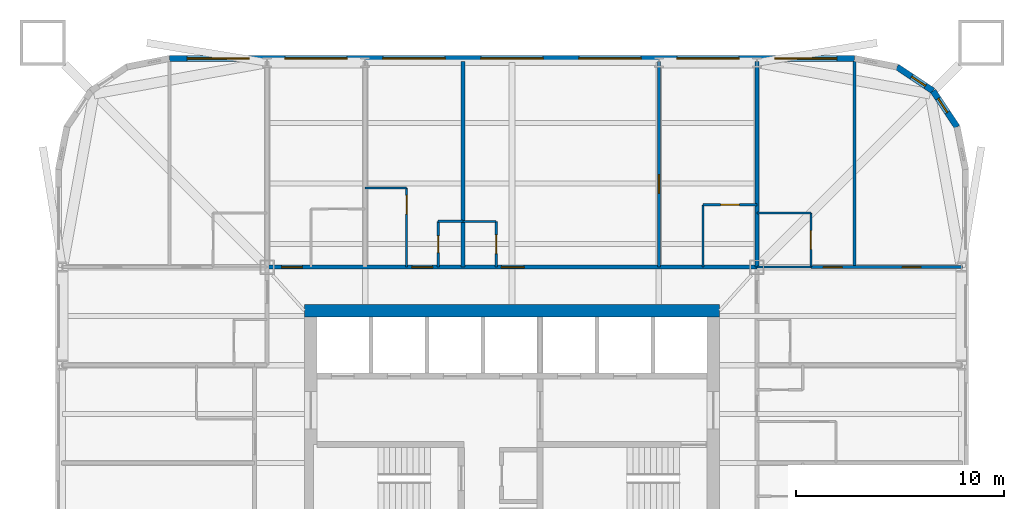
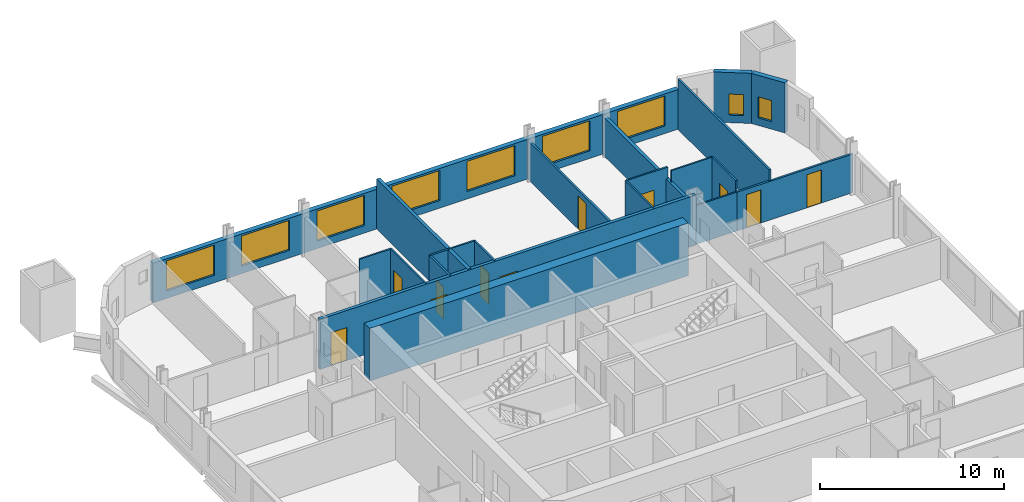
# One storey, part 7 of 9: 21 walls, 11 doors, 9 windows, 20 openings.
"""IFC4 building model written with IfcOpenShell, lengths in metres."""

from ifc_helpers import new_model, si_unit, direction, frame, frame_2d, origin, place, context, subcontext, project, spatial, rectangle, extrude, material, layer, layer_set, type_object, element, fill, save


model = new_model("IFC4")

# Units and contexts
model_context = context("Model", 3, precision=1e-05, world=origin(), true_north=direction((0.0, 1.0)))
body_context = subcontext(model_context, "Body", "Model", "MODEL_VIEW")
ifc_project = project(units=[si_unit("LENGTHUNIT", "METRE"), si_unit("AREAUNIT", "SQUARE_METRE"), si_unit("VOLUMEUNIT", "CUBIC_METRE"), si_unit("PLANEANGLEUNIT", "RADIAN"), si_unit("MASSUNIT", "GRAM", prefix="KILO")], contexts=[model_context])

# Site, building, storey
site_placement = place(None, origin())
site = spatial("IfcSite", under=ifc_project, at=site_placement, CompositionType="ELEMENT")
building_placement = place(site_placement, origin())
building = spatial("IfcBuilding", under=site, at=building_placement, Name="Turquesa Mirador Hotel Tower", CompositionType="ELEMENT")
storey_placement = place(building_placement, frame((0.0, 0.0, 81.0)))
storey = spatial("IfcBuildingStorey", under=building, at=storey_placement, Name="L21", CompositionType="ELEMENT", Elevation=81.0)

# Walls
ifc_material_1 = material(Name="Gypsum board on steel studs", Category="steel")
ifc_layer_1 = layer(ifc_material_1, 0.10009765625)
ifc_layer_set_1 = layer_set([ifc_layer_1], Name="BATHROOM WALL 100")
wall_type_1 = type_object("IfcWallType", Name="BATHROOM WALL 100", PredefinedType="PARTITIONING", material=ifc_layer_set_1)
wall_1_placement = place(storey_placement, frame((66.800048828125, 56.800048828125, 0.0), z_axis=(0.0, 0.0, 1.0), x_axis=(1.0, 0.0, 0.0)))
element("IfcWall", 1, at=wall_1_placement, inside=storey, type_object=wall_type_1, Name="Partition L21 019", PredefinedType="PARTITIONING", context=body_context, shape_type="SweptSolid", body=[
    extrude(rectangle(XDim=2.599853515625, YDim=0.10009765625, at=frame_2d((1.2998046875, 0.0))), origin(), (0.0, 0.0, 1.0), 2.572998046875),
])
wall_2_placement = place(storey_placement, frame((52.639892578125, 59.0, 0.0), z_axis=(0.0, 0.0, 1.0), x_axis=(1.0, 0.0, 0.0)))
element("IfcWall", 2, at=wall_2_placement, inside=storey, type_object=wall_type_1, Name="Partition L21 023", PredefinedType="PARTITIONING", context=body_context, shape_type="SweptSolid", body=[
    extrude(rectangle(XDim=1.60009765625, YDim=0.10009765625, at=frame_2d((0.800048828125, 0.0))), origin(), (0.0, 0.0, 1.0), 3.330078125),
])
wall_3_placement = place(storey_placement, frame((66.800048828125, 59.39990234375, 0.0), z_axis=(0.0, 0.0, 1.0), x_axis=(1.0, 0.0, 0.0)))
element("IfcWall", 3, at=wall_3_placement, inside=storey, type_object=wall_type_1, Name="Partition L21 026", PredefinedType="PARTITIONING", context=body_context, shape_type="SweptSolid", body=[
    extrude(rectangle(XDim=2.599853515625, YDim=0.10009765625, at=frame_2d((1.2998046875, 0.0))), origin(), (0.0, 0.0, 1.0), 3.330078125),
])

# Wall, opening, door
wall_4_placement = place(storey_placement, frame((64.199951171875, 59.800048828125, 0.0), z_axis=(0.0, 0.0, 1.0), x_axis=(1.0, 0.0, 0.0)))
wall_4 = element("IfcWall", 4, at=wall_4_placement, inside=storey, type_object=wall_type_1, Name="Partition L21 028", PredefinedType="PARTITIONING", context=body_context, shape_type="SweptSolid", body=[
    extrude(rectangle(XDim=2.60009765625, YDim=0.10009765625, at=frame_2d((1.300048828125, 0.0))), origin(), (0.0, 0.0, 1.0), 3.330078125),
])
opening_1_placement = place(wall_4_placement, frame((0.85009765625, 0.0, 0.0)))
opening_1 = element("IfcOpeningElement", 5, at=opening_1_placement, cuts=wall_4, Name="Opening D02", PredefinedType="OPENING", context=body_context, shape_type="SweptSolid", body=[
    extrude(rectangle(XDim=0.89990234375, YDim=2.10009765625, at=frame_2d((0.449951171875, 1.050048828125))), frame((0.0, 0.06005859375, 0.0), z_axis=(0.0, -1.0, 0.0), x_axis=(1.0, 0.0, 0.0)), (0.0, 0.0, 1.0), 0.1201171875),
])
ifc_material_2 = material(Name="Timber veneered door", Category="wood")
door_type_1 = type_object("IfcDoorType", Name="DOOR 900X2100 EN-SUITE", OperationType="SINGLE_SWING_RIGHT", PredefinedType="DOOR", material=ifc_material_2)
door_1_placement = place(opening_1_placement, origin())
door_1 = element("IfcDoor", 6, at=door_1_placement, inside=storey, type_object=door_type_1, Name="Door 2103B", OperationType="SINGLE_SWING_RIGHT", OverallHeight=2.10009765625, OverallWidth=0.89990234375, PredefinedType="DOOR", context=body_context, shape_type="SweptSolid", body=[
    extrude(rectangle(XDim=0.89990234375, YDim=2.10009765625, at=frame_2d((0.449951171875, 1.050048828125))), frame((0.0, 0.02490234375, 0.0), z_axis=(0.0, -1.0, 0.0), x_axis=(1.0, 0.0, 0.0)), (0.0, 0.0, 1.0), 0.050048828125),
])
fill(opening_1, door_1)

# Wall
wall_5_placement = place(storey_placement, frame((47.919921875, 60.60009765625, 0.0), z_axis=(0.0, 0.0, 1.0), x_axis=(1.0, 0.0, 0.0)))
element("IfcWall", 7, at=wall_5_placement, inside=storey, type_object=wall_type_1, Name="Partition L21 029", PredefinedType="PARTITIONING", context=body_context, shape_type="SweptSolid", body=[
    extrude(rectangle(XDim=2.0, YDim=0.10009765625, at=frame_2d((1.0, 0.0))), origin(), (0.0, 0.0, 1.0), 3.330078125),
])

# Wall, opening, door
wall_6_placement = place(storey_placement, frame((54.239990234375, 56.800048828125, 0.0), z_axis=(0.0, 0.0, 1.0), x_axis=(0.0, 1.0, 0.0)))
wall_6 = element("IfcWall", 8, at=wall_6_placement, inside=storey, type_object=wall_type_1, Name="Partition L21 041", PredefinedType="PARTITIONING", context=body_context, shape_type="SweptSolid", body=[
    extrude(rectangle(XDim=2.199951171875, YDim=0.10009765625, at=frame_2d((1.10009765625, 0.0))), origin(), (0.0, 0.0, 1.0), 3.330078125),
])
opening_2_placement = place(wall_6_placement, frame((0.64990234375, 0.0, 0.0)))
opening_2 = element("IfcOpeningElement", 9, at=opening_2_placement, cuts=wall_6, Name="Opening D06", PredefinedType="OPENING", context=body_context, shape_type="SweptSolid", body=[
    extrude(rectangle(XDim=0.89990234375, YDim=2.10009765625, at=frame_2d((0.449951171875, 1.050048828125))), frame((0.0, 0.06005859375, 0.0), z_axis=(0.0, -1.0, 0.0), x_axis=(1.0, 0.0, 0.0)), (0.0, 0.0, 1.0), 0.1201171875),
])
ifc_material_3 = material(Name="Laminate door", Category="wood")
door_type_2 = type_object("IfcDoorType", Name="DOOR 900X2100 WC", OperationType="SINGLE_SWING_LEFT", PredefinedType="DOOR", material=ifc_material_3)
door_2_placement = place(opening_2_placement, origin())
door_2 = element("IfcDoor", 10, at=door_2_placement, inside=storey, type_object=door_type_2, Name="Door 2103W", OperationType="SINGLE_SWING_LEFT", OverallHeight=2.10009765625, OverallWidth=0.89990234375, PredefinedType="DOOR", context=body_context, shape_type="SweptSolid", body=[
    extrude(rectangle(XDim=0.89990234375, YDim=2.10009765625, at=frame_2d((0.449951171875, 1.050048828125))), frame((0.0, 0.02490234375, 0.0), z_axis=(0.0, -1.0, 0.0), x_axis=(1.0, 0.0, 0.0)), (0.0, 0.0, 1.0), 0.050048828125),
])
fill(opening_2, door_2)

wall_7_placement = place(storey_placement, frame((49.919921875, 56.800048828125, 0.0), z_axis=(0.0, 0.0, 1.0), x_axis=(0.0, 1.0, 0.0)))
wall_7 = element("IfcWall", 11, at=wall_7_placement, inside=storey, type_object=wall_type_1, Name="Partition L21 058", PredefinedType="PARTITIONING", context=body_context, shape_type="SweptSolid", body=[
    extrude(rectangle(XDim=3.800048828125, YDim=0.10009765625, at=frame_2d((1.89990234375, 0.0))), origin(), (0.0, 0.0, 1.0), 3.330078125),
])
opening_3_placement = place(wall_7_placement, frame((2.550048828125, 0.0, 0.0)))
opening_3 = element("IfcOpeningElement", 12, at=opening_3_placement, cuts=wall_7, Name="Opening D02", PredefinedType="OPENING", context=body_context, shape_type="SweptSolid", body=[
    extrude(rectangle(XDim=0.89990234375, YDim=2.10009765625, at=frame_2d((0.449951171875, 1.050048828125))), frame((0.0, 0.06005859375, 0.0), z_axis=(0.0, -1.0, 0.0), x_axis=(1.0, 0.0, 0.0)), (0.0, 0.0, 1.0), 0.1201171875),
])
door_3_placement = place(opening_3_placement, origin())
door_3 = element("IfcDoor", 13, at=door_3_placement, inside=storey, type_object=door_type_1, Name="Door 2102B", OperationType="SINGLE_SWING_RIGHT", OverallHeight=2.10009765625, OverallWidth=0.89990234375, PredefinedType="DOOR", context=body_context, shape_type="SweptSolid", body=[
    extrude(rectangle(XDim=0.89990234375, YDim=2.10009765625, at=frame_2d((0.449951171875, 1.050048828125))), frame((0.0, 0.02490234375, 0.0), z_axis=(0.0, -1.0, 0.0), x_axis=(1.0, 0.0, 0.0)), (0.0, 0.0, 1.0), 0.050048828125),
])
fill(opening_3, door_3)

wall_8_placement = place(storey_placement, frame((69.39990234375, 56.800048828125, 0.0), z_axis=(0.0, 0.0, 1.0), x_axis=(0.0, 1.0, 0.0)))
wall_8 = element("IfcWall", 14, at=wall_8_placement, inside=storey, type_object=wall_type_1, Name="Partition L21 069", PredefinedType="PARTITIONING", context=body_context, shape_type="SweptSolid", body=[
    extrude(rectangle(XDim=2.599853515625, YDim=0.10009765625, at=frame_2d((1.2998046875, 0.0))), origin(), (0.0, 0.0, 1.0), 3.330078125),
])
opening_4_placement = place(wall_8_placement, frame((0.85009765625, 0.0, 0.0)))
opening_4 = element("IfcOpeningElement", 15, at=opening_4_placement, cuts=wall_8, Name="Opening D02", PredefinedType="OPENING", context=body_context, shape_type="SweptSolid", body=[
    extrude(rectangle(XDim=0.89990234375, YDim=2.10009765625, at=frame_2d((0.449951171875, 1.050048828125))), frame((0.0, 0.06005859375, 0.0), z_axis=(0.0, -1.0, 0.0), x_axis=(1.0, 0.0, 0.0)), (0.0, 0.0, 1.0), 0.1201171875),
])
door_4_placement = place(opening_4_placement, origin())
door_4 = element("IfcDoor", 16, at=door_4_placement, inside=storey, type_object=door_type_1, Name="Door 2109B", OperationType="SINGLE_SWING_RIGHT", OverallHeight=2.10009765625, OverallWidth=0.89990234375, PredefinedType="DOOR", context=body_context, shape_type="SweptSolid", body=[
    extrude(rectangle(XDim=0.89990234375, YDim=2.10009765625, at=frame_2d((0.449951171875, 1.050048828125))), frame((0.0, 0.02490234375, 0.0), z_axis=(0.0, -1.0, 0.0), x_axis=(1.0, 0.0, 0.0)), (0.0, 0.0, 1.0), 0.050048828125),
])
fill(opening_4, door_4)

# Walls
wall_9_placement = place(storey_placement, frame((64.199951171875, 56.800048828125, 0.0), z_axis=(0.0, 0.0, 1.0), x_axis=(0.0, 1.0, 0.0)))
element("IfcWall", 17, at=wall_9_placement, inside=storey, type_object=wall_type_1, Name="Partition L21 077", PredefinedType="PARTITIONING", context=body_context, shape_type="SweptSolid", body=[
    extrude(rectangle(XDim=3.0, YDim=0.10009765625, at=frame_2d((1.5, 0.0))), origin(), (0.0, 0.0, 1.0), 3.330078125),
])
ifc_material_4 = material(Name="Concrete C50/60", Category="concrete")
ifc_layer_2 = layer(ifc_material_4, 0.60009765625)
ifc_layer_set_2 = layer_set([ifc_layer_2], Name="CORE WALL 600")
wall_type_2 = type_object("IfcWallType", Name="CORE WALL 600", PredefinedType="SHEAR", material=ifc_layer_set_2)
wall_10_placement = place(storey_placement, frame((45.0, 54.699951171875, 0.0), z_axis=(0.0, 0.0, 1.0), x_axis=(1.0, 0.0, 0.0)))
element("IfcWall", 18, at=wall_10_placement, inside=storey, type_object=wall_type_2, Name="Core wall N", PredefinedType="SHEAR", context=body_context, shape_type="SweptSolid", body=[
    extrude(rectangle(XDim=20.0, YDim=0.60009765625, at=frame_2d((10.0, 0.0))), origin(), (0.0, 0.0, 1.0), 3.5),
])

# Wall, openings, doors
ifc_material_5 = material(Name="Fire-rated gypsum board on steel studs", Category="steel")
ifc_layer_3 = layer(ifc_material_5, 0.199951171875)
ifc_layer_set_3 = layer_set([ifc_layer_3], Name="CORRIDOR WALL 200")
wall_type_3 = type_object("IfcWallType", Name="CORRIDOR WALL 200", PredefinedType="PARTITIONING", material=ifc_layer_set_3)
wall_11_placement = place(storey_placement, frame((43.199951171875, 56.800048828125, 0.0), z_axis=(0.0, 0.0, 1.0), x_axis=(1.0, 0.0, 0.0)))
wall_11 = element("IfcWall", 19, at=wall_11_placement, inside=storey, type_object=wall_type_3, Name="Partition L21 020", PredefinedType="PARTITIONING", context=body_context, shape_type="SweptSolid", body=[
    extrude(rectangle(XDim=23.60009765625, YDim=0.199951171875, at=frame_2d((11.800048828125, 0.0))), origin(), (0.0, 0.0, 1.0), 3.330078125),
])
opening_5_placement = place(wall_11_placement, frame((0.699951171875, 0.0, 0.0)))
opening_5 = element("IfcOpeningElement", 20, at=opening_5_placement, cuts=wall_11, Name="Opening D01", PredefinedType="OPENING", context=body_context, shape_type="SweptSolid", body=[
    extrude(rectangle(XDim=1.0, YDim=2.199951171875, at=frame_2d((0.5, 1.10009765625))), frame((0.0, 0.10986328125, 0.0), z_axis=(0.0, -1.0, 0.0), x_axis=(1.0, 0.0, 0.0)), (0.0, 0.0, 1.0), 0.219970703125),
])
opening_6_placement = place(wall_11_placement, frame((6.97998046875, 0.0, 0.0)))
opening_6 = element("IfcOpeningElement", 21, at=opening_6_placement, cuts=wall_11, Name="Opening D01", PredefinedType="OPENING", context=body_context, shape_type="SweptSolid", body=[
    extrude(rectangle(XDim=1.0, YDim=2.199951171875, at=frame_2d((0.5, 1.10009765625))), frame((0.0, 0.10986328125, 0.0), z_axis=(0.0, -1.0, 0.0), x_axis=(1.0, 0.0, 0.0)), (0.0, 0.0, 1.0), 0.219970703125),
])
opening_7_placement = place(wall_11_placement, frame((11.2900390625, 0.0, 0.0)))
opening_7 = element("IfcOpeningElement", 22, at=opening_7_placement, cuts=wall_11, Name="Opening D15", PredefinedType="OPENING", context=body_context, shape_type="SweptSolid", body=[
    extrude(rectangle(XDim=1.10009765625, YDim=2.199951171875, at=frame_2d((0.550048828125, 1.10009765625))), frame((0.0, 0.10986328125, 0.0), z_axis=(0.0, -1.0, 0.0), x_axis=(1.0, 0.0, 0.0)), (0.0, 0.0, 1.0), 0.219970703125),
])
ifc_material_6 = material(Name="Timber veneered fire door", Category="wood")
door_type_3 = type_object("IfcDoorType", Name="DOOR 1000X2200 GUEST ENTRY", OperationType="SINGLE_SWING_LEFT", PredefinedType="DOOR", material=ifc_material_6)
door_5_placement = place(opening_5_placement, origin())
door_5 = element("IfcDoor", 23, at=door_5_placement, inside=storey, type_object=door_type_3, Name="Door 2101", OperationType="SINGLE_SWING_LEFT", OverallHeight=2.199951171875, OverallWidth=1.0, PredefinedType="DOOR", context=body_context, shape_type="SweptSolid", body=[
    extrude(rectangle(XDim=1.0, YDim=2.199951171875, at=frame_2d((0.5, 1.10009765625))), frame((0.0, 0.02490234375, 0.0), z_axis=(0.0, -1.0, 0.0), x_axis=(1.0, 0.0, 0.0)), (0.0, 0.0, 1.0), 0.050048828125),
])
fill(opening_5, door_5)
door_6_placement = place(opening_6_placement, origin())
door_6 = element("IfcDoor", 24, at=door_6_placement, inside=storey, type_object=door_type_3, Name="Door 2102", OperationType="SINGLE_SWING_LEFT", OverallHeight=2.199951171875, OverallWidth=1.0, PredefinedType="DOOR", context=body_context, shape_type="SweptSolid", body=[
    extrude(rectangle(XDim=1.0, YDim=2.199951171875, at=frame_2d((0.5, 1.10009765625))), frame((0.0, 0.02490234375, 0.0), z_axis=(0.0, -1.0, 0.0), x_axis=(1.0, 0.0, 0.0)), (0.0, 0.0, 1.0), 0.050048828125),
])
fill(opening_6, door_6)
ifc_material_7 = material(Name="Timber veneered fire door", Category="wood")
door_type_4 = type_object("IfcDoorType", Name="DOOR 1100X2200 SUITE ENTRY", OperationType="SINGLE_SWING_LEFT", PredefinedType="DOOR", material=ifc_material_7)
door_7_placement = place(opening_7_placement, origin())
door_7 = element("IfcDoor", 25, at=door_7_placement, inside=storey, type_object=door_type_4, Name="Door 2103", OperationType="SINGLE_SWING_LEFT", OverallHeight=2.199951171875, OverallWidth=1.10009765625, PredefinedType="DOOR", context=body_context, shape_type="SweptSolid", body=[
    extrude(rectangle(XDim=1.10009765625, YDim=2.199951171875, at=frame_2d((0.550048828125, 1.10009765625))), frame((0.0, 0.02490234375, 0.0), z_axis=(0.0, -1.0, 0.0), x_axis=(1.0, 0.0, 0.0)), (0.0, 0.0, 1.0), 0.050048828125),
])
fill(opening_7, door_7)

# Wall, opening, window
ifc_material_8 = material(Name="Limestone cladding on concrete block", Category="masonry")
ifc_layer_4 = layer(ifc_material_8, 0.300048828125)
ifc_layer_set_4 = layer_set([ifc_layer_4], Name="FACADE WALL 300 STONE SCREEN")
wall_type_4 = type_object("IfcWallType", Name="FACADE WALL 300 STONE SCREEN", PredefinedType="SOLIDWALL", material=ifc_layer_set_4)
wall_12_placement = place(storey_placement, frame((76.44287109375, 63.54736328125, 0.0), z_axis=(0.0, 0.0, 1.0), x_axis=(-0.555644460423, 0.831420010345, 0.0)))
wall_12 = element("IfcWall", 26, at=wall_12_placement, inside=storey, type_object=wall_type_4, Name="Facade wall L21 06", PredefinedType="SOLIDWALL", context=body_context, shape_type="SweptSolid", body=[
    extrude(rectangle(XDim=2.08740234375, YDim=0.300048828125, at=frame_2d((1.043701171875, 0.0))), origin(), (0.0, 0.0, 1.0), 3.330078125),
])
opening_8_placement = place(wall_12_placement, frame((0.84375, 0.0, 0.5)))
opening_8 = element("IfcOpeningElement", 27, at=opening_8_placement, cuts=wall_12, Name="Opening WN20", PredefinedType="OPENING", context=body_context, shape_type="SweptSolid", body=[
    extrude(rectangle(XDim=0.800048828125, YDim=1.39990234375, at=frame_2d((0.39990234375, 0.699951171875))), frame((0.0, 0.159912109375, 0.0), z_axis=(0.0, -1.0, 0.0), x_axis=(1.0, 0.0, 0.0)), (0.0, 0.0, 1.0), 0.320068359375),
])
ifc_material_9 = material(Name="Ceramic-fritted laminated glass", Category="glass")
window_type_1 = type_object("IfcWindowType", Name="FRITTED CORNER WINDOW 800X1400", PartitioningType="DOUBLE_PANEL_HORIZONTAL", PredefinedType="WINDOW", material=ifc_material_9)
window_1_placement = place(opening_8_placement, origin())
window_1 = element("IfcWindow", 28, at=window_1_placement, inside=storey, type_object=window_type_1, Name="Window L21", OverallHeight=1.39990234375, OverallWidth=0.800048828125, PartitioningType="SINGLE_PANEL", PredefinedType="WINDOW", context=body_context, shape_type="SweptSolid", body=[
    extrude(rectangle(XDim=0.800048828125, YDim=1.39990234375, at=frame_2d((0.39990234375, 0.699951171875))), frame((0.0, 0.030029296875, 0.0), z_axis=(0.0, -1.0, 0.0), x_axis=(1.0, 0.0, 0.0)), (0.0, 0.0, 1.0), 0.06005859375),
])
fill(opening_8, window_1)

wall_13_placement = place(storey_placement, frame((75.282958984375, 65.282958984375, 0.0), z_axis=(0.0, 0.0, 1.0), x_axis=(-0.831420010345, 0.555644460423, 0.0)))
wall_13 = element("IfcWall", 29, at=wall_13_placement, inside=storey, type_object=wall_type_4, Name="Facade wall L21 07", PredefinedType="SOLIDWALL", context=body_context, shape_type="SweptSolid", body=[
    extrude(rectangle(XDim=2.08740234375, YDim=0.300048828125, at=frame_2d((1.043701171875, 0.0))), origin(), (0.0, 0.0, 1.0), 3.330078125),
])
opening_9_placement = place(wall_13_placement, frame((0.443603515625, 0.0, 0.5)))
opening_9 = element("IfcOpeningElement", 30, at=opening_9_placement, cuts=wall_13, Name="Opening WN20", PredefinedType="OPENING", context=body_context, shape_type="SweptSolid", body=[
    extrude(rectangle(XDim=0.800048828125, YDim=1.39990234375, at=frame_2d((0.39990234375, 0.699951171875))), frame((0.0, 0.159912109375, 0.0), z_axis=(0.0, -1.0, 0.0), x_axis=(1.0, 0.0, 0.0)), (0.0, 0.0, 1.0), 0.320068359375),
])
window_2_placement = place(opening_9_placement, origin())
window_2 = element("IfcWindow", 31, at=window_2_placement, inside=storey, type_object=window_type_1, Name="Window L21", OverallHeight=1.39990234375, OverallWidth=0.800048828125, PartitioningType="SINGLE_PANEL", PredefinedType="WINDOW", context=body_context, shape_type="SweptSolid", body=[
    extrude(rectangle(XDim=0.800048828125, YDim=1.39990234375, at=frame_2d((0.39990234375, 0.699951171875))), frame((0.0, 0.030029296875, 0.0), z_axis=(0.0, -1.0, 0.0), x_axis=(1.0, 0.0, 0.0)), (0.0, 0.0, 1.0), 0.06005859375),
])
fill(opening_9, window_2)

# Wall, openings, windows
wall_14_placement = place(storey_placement, frame((71.5, 66.85009765625, 0.0), z_axis=(0.0, 0.0, 1.0), x_axis=(-1.0, 0.0, 0.0)))
wall_14 = element("IfcWall", 32, at=wall_14_placement, inside=storey, type_object=wall_type_4, Name="Facade wall L21 09", PredefinedType="SOLIDWALL", context=body_context, shape_type="SweptSolid", body=[
    extrude(rectangle(XDim=33.0, YDim=0.300048828125, at=frame_2d((16.5, 0.0))), origin(), (0.0, 0.0, 1.0), 2.6298828125),
])
opening_10_placement = place(wall_14_placement, frame((0.85009765625, 0.0, 0.5)))
opening_10 = element("IfcOpeningElement", 33, at=opening_10_placement, cuts=wall_14, Name="Opening WN1", PredefinedType="OPENING", context=body_context, shape_type="SweptSolid", body=[
    extrude(rectangle(XDim=3.0, YDim=2.0, at=frame_2d((1.5, 1.0))), frame((0.0, 0.159912109375, 0.0), z_axis=(0.0, -1.0, 0.0), x_axis=(1.0, 0.0, 0.0)), (0.0, 0.0, 1.0), 0.320068359375),
])
opening_11_placement = place(wall_14_placement, frame((5.56005859375, 0.0, 0.5)))
opening_11 = element("IfcOpeningElement", 34, at=opening_11_placement, cuts=wall_14, Name="Opening WN1", PredefinedType="OPENING", context=body_context, shape_type="SweptSolid", body=[
    extrude(rectangle(XDim=3.0, YDim=2.0, at=frame_2d((1.5, 1.0))), frame((0.0, 0.159912109375, 0.0), z_axis=(0.0, -1.0, 0.0), x_axis=(1.0, 0.0, 0.0)), (0.0, 0.0, 1.0), 0.320068359375),
])
opening_12_placement = place(wall_14_placement, frame((10.280029296875, 0.0, 0.5)))
opening_12 = element("IfcOpeningElement", 35, at=opening_12_placement, cuts=wall_14, Name="Opening WN1", PredefinedType="OPENING", context=body_context, shape_type="SweptSolid", body=[
    extrude(rectangle(XDim=3.0, YDim=2.0, at=frame_2d((1.5, 1.0))), frame((0.0, 0.159912109375, 0.0), z_axis=(0.0, -1.0, 0.0), x_axis=(1.0, 0.0, 0.0)), (0.0, 0.0, 1.0), 0.320068359375),
])
opening_13_placement = place(wall_14_placement, frame((15.0, 0.0, 0.5)))
opening_13 = element("IfcOpeningElement", 36, at=opening_13_placement, cuts=wall_14, Name="Opening WN1", PredefinedType="OPENING", context=body_context, shape_type="SweptSolid", body=[
    extrude(rectangle(XDim=3.0, YDim=2.0, at=frame_2d((1.5, 1.0))), frame((0.0, 0.159912109375, 0.0), z_axis=(0.0, -1.0, 0.0), x_axis=(1.0, 0.0, 0.0)), (0.0, 0.0, 1.0), 0.320068359375),
])
opening_14_placement = place(wall_14_placement, frame((19.719970703125, 0.0, 0.5)))
opening_14 = element("IfcOpeningElement", 37, at=opening_14_placement, cuts=wall_14, Name="Opening WN1", PredefinedType="OPENING", context=body_context, shape_type="SweptSolid", body=[
    extrude(rectangle(XDim=3.0, YDim=2.0, at=frame_2d((1.5, 1.0))), frame((0.0, 0.159912109375, 0.0), z_axis=(0.0, -1.0, 0.0), x_axis=(1.0, 0.0, 0.0)), (0.0, 0.0, 1.0), 0.320068359375),
])
opening_15_placement = place(wall_14_placement, frame((24.43994140625, 0.0, 0.5)))
opening_15 = element("IfcOpeningElement", 38, at=opening_15_placement, cuts=wall_14, Name="Opening WN1", PredefinedType="OPENING", context=body_context, shape_type="SweptSolid", body=[
    extrude(rectangle(XDim=3.0, YDim=2.0, at=frame_2d((1.5, 1.0))), frame((0.0, 0.159912109375, 0.0), z_axis=(0.0, -1.0, 0.0), x_axis=(1.0, 0.0, 0.0)), (0.0, 0.0, 1.0), 0.320068359375),
])
opening_16_placement = place(wall_14_placement, frame((29.14990234375, 0.0, 0.5)))
opening_16 = element("IfcOpeningElement", 39, at=opening_16_placement, cuts=wall_14, Name="Opening WN1", PredefinedType="OPENING", context=body_context, shape_type="SweptSolid", body=[
    extrude(rectangle(XDim=3.0, YDim=2.0, at=frame_2d((1.5, 1.0))), frame((0.0, 0.159912109375, 0.0), z_axis=(0.0, -1.0, 0.0), x_axis=(1.0, 0.0, 0.0)), (0.0, 0.0, 1.0), 0.320068359375),
])
ifc_material_10 = material(Name="Ceramic-fritted laminated glass", Category="glass")
window_type_2 = type_object("IfcWindowType", Name="FRITTED WINDOW 3000X2000", PartitioningType="DOUBLE_PANEL_HORIZONTAL", PredefinedType="WINDOW", material=ifc_material_10)
window_3_placement = place(opening_10_placement, origin())
window_3 = element("IfcWindow", 40, at=window_3_placement, inside=storey, type_object=window_type_2, Name="Window L21", OverallHeight=2.0, OverallWidth=3.0, PartitioningType="SINGLE_PANEL", PredefinedType="WINDOW", context=body_context, shape_type="SweptSolid", body=[
    extrude(rectangle(XDim=3.0, YDim=2.0, at=frame_2d((1.5, 1.0))), frame((0.0, 0.030029296875, 0.0), z_axis=(0.0, -1.0, 0.0), x_axis=(1.0, 0.0, 0.0)), (0.0, 0.0, 1.0), 0.06005859375),
])
fill(opening_10, window_3)
window_4_placement = place(opening_11_placement, origin())
window_4 = element("IfcWindow", 41, at=window_4_placement, inside=storey, type_object=window_type_2, Name="Window L21", OverallHeight=2.0, OverallWidth=3.0, PartitioningType="SINGLE_PANEL", PredefinedType="WINDOW", context=body_context, shape_type="SweptSolid", body=[
    extrude(rectangle(XDim=3.0, YDim=2.0, at=frame_2d((1.5, 1.0))), frame((0.0, 0.030029296875, 0.0), z_axis=(0.0, -1.0, 0.0), x_axis=(1.0, 0.0, 0.0)), (0.0, 0.0, 1.0), 0.06005859375),
])
fill(opening_11, window_4)
window_5_placement = place(opening_12_placement, origin())
window_5 = element("IfcWindow", 42, at=window_5_placement, inside=storey, type_object=window_type_2, Name="Window L21", OverallHeight=2.0, OverallWidth=3.0, PartitioningType="SINGLE_PANEL", PredefinedType="WINDOW", context=body_context, shape_type="SweptSolid", body=[
    extrude(rectangle(XDim=3.0, YDim=2.0, at=frame_2d((1.5, 1.0))), frame((0.0, 0.030029296875, 0.0), z_axis=(0.0, -1.0, 0.0), x_axis=(1.0, 0.0, 0.0)), (0.0, 0.0, 1.0), 0.06005859375),
])
fill(opening_12, window_5)
window_6_placement = place(opening_13_placement, origin())
window_6 = element("IfcWindow", 43, at=window_6_placement, inside=storey, type_object=window_type_2, Name="Window L21", OverallHeight=2.0, OverallWidth=3.0, PartitioningType="SINGLE_PANEL", PredefinedType="WINDOW", context=body_context, shape_type="SweptSolid", body=[
    extrude(rectangle(XDim=3.0, YDim=2.0, at=frame_2d((1.5, 1.0))), frame((0.0, 0.030029296875, 0.0), z_axis=(0.0, -1.0, 0.0), x_axis=(1.0, 0.0, 0.0)), (0.0, 0.0, 1.0), 0.06005859375),
])
fill(opening_13, window_6)
window_7_placement = place(opening_14_placement, origin())
window_7 = element("IfcWindow", 44, at=window_7_placement, inside=storey, type_object=window_type_2, Name="Window L21", OverallHeight=2.0, OverallWidth=3.0, PartitioningType="SINGLE_PANEL", PredefinedType="WINDOW", context=body_context, shape_type="SweptSolid", body=[
    extrude(rectangle(XDim=3.0, YDim=2.0, at=frame_2d((1.5, 1.0))), frame((0.0, 0.030029296875, 0.0), z_axis=(0.0, -1.0, 0.0), x_axis=(1.0, 0.0, 0.0)), (0.0, 0.0, 1.0), 0.06005859375),
])
fill(opening_14, window_7)
window_8_placement = place(opening_15_placement, origin())
window_8 = element("IfcWindow", 45, at=window_8_placement, inside=storey, type_object=window_type_2, Name="Window L21", OverallHeight=2.0, OverallWidth=3.0, PartitioningType="SINGLE_PANEL", PredefinedType="WINDOW", context=body_context, shape_type="SweptSolid", body=[
    extrude(rectangle(XDim=3.0, YDim=2.0, at=frame_2d((1.5, 1.0))), frame((0.0, 0.030029296875, 0.0), z_axis=(0.0, -1.0, 0.0), x_axis=(1.0, 0.0, 0.0)), (0.0, 0.0, 1.0), 0.06005859375),
])
fill(opening_15, window_8)
window_9_placement = place(opening_16_placement, origin())
window_9 = element("IfcWindow", 46, at=window_9_placement, inside=storey, type_object=window_type_2, Name="Window L21", OverallHeight=2.0, OverallWidth=3.0, PartitioningType="SINGLE_PANEL", PredefinedType="WINDOW", context=body_context, shape_type="SweptSolid", body=[
    extrude(rectangle(XDim=3.0, YDim=2.0, at=frame_2d((1.5, 1.0))), frame((0.0, 0.030029296875, 0.0), z_axis=(0.0, -1.0, 0.0), x_axis=(1.0, 0.0, 0.0)), (0.0, 0.0, 1.0), 0.06005859375),
])
fill(opening_16, window_9)

# Walls
ifc_material_11 = material(Name="Fire-rated gypsum board on steel studs", Category="steel")
ifc_layer_5 = layer(ifc_material_11, 0.199951171875)
ifc_layer_set_5 = layer_set([ifc_layer_5], Name="PARTY WALL 200")
wall_type_5 = type_object("IfcWallType", Name="PARTY WALL 200", PredefinedType="PARTITIONING", material=ifc_layer_set_5)
wall_15_placement = place(storey_placement, frame((52.639892578125, 56.800048828125, 0.0), z_axis=(0.0, 0.0, 1.0), x_axis=(0.0, 1.0, 0.0)))
element("IfcWall", 47, at=wall_15_placement, inside=storey, type_object=wall_type_5, Name="Partition L21 055", PredefinedType="PARTITIONING", context=body_context, shape_type="SweptSolid", body=[
    extrude(rectangle(XDim=9.89990234375, YDim=0.199951171875, at=frame_2d((4.949951171875, 0.0))), origin(), (0.0, 0.0, 1.0), 3.330078125),
])
wall_16_placement = place(storey_placement, frame((66.800048828125, 56.800048828125, 0.0), z_axis=(0.0, 0.0, 1.0), x_axis=(0.0, 1.0, 0.0)))
element("IfcWall", 48, at=wall_16_placement, inside=storey, type_object=wall_type_5, Name="Partition L21 064", PredefinedType="PARTITIONING", context=body_context, shape_type="SweptSolid", body=[
    extrude(rectangle(XDim=9.89990234375, YDim=0.199951171875, at=frame_2d((4.949951171875, 0.0))), origin(), (0.0, 0.0, 1.0), 2.572998046875),
])

# Wall, openings, doors
ifc_material_12 = material(Name="Acoustic gypsum board on steel studs", Category="steel")
ifc_layer_6 = layer(ifc_material_12, 0.125)
ifc_layer_set_6 = layer_set([ifc_layer_6], Name="SUITE PARTITION 125")
wall_type_6 = type_object("IfcWallType", Name="SUITE PARTITION 125", PredefinedType="PARTITIONING", material=ifc_layer_set_6)
wall_17_placement = place(storey_placement, frame((69.39990234375, 56.800048828125, 0.0), z_axis=(0.0, 0.0, 1.0), x_axis=(1.0, 0.0, 0.0)))
wall_17 = element("IfcWall", 49, at=wall_17_placement, inside=storey, type_object=wall_type_6, Name="Partition L21 022", PredefinedType="PARTITIONING", context=body_context, shape_type="SweptSolid", body=[
    extrude(rectangle(XDim=7.300048828125, YDim=0.125, at=frame_2d((3.64990234375, 0.0))), origin(), (0.0, 0.0, 1.0), 2.572998046875),
])
opening_17_placement = place(wall_17_placement, frame((0.60009765625, 0.0, 0.0)))
opening_17 = element("IfcOpeningElement", 50, at=opening_17_placement, cuts=wall_17, Name="Opening D17", PredefinedType="OPENING", context=body_context, shape_type="SweptSolid", body=[
    extrude(rectangle(XDim=0.89990234375, YDim=2.199951171875, at=frame_2d((0.449951171875, 1.10009765625))), frame((0.0, 0.072509765625, 0.0), z_axis=(0.0, -1.0, 0.0), x_axis=(1.0, 0.0, 0.0)), (0.0, 0.0, 1.0), 0.14501953125),
])
opening_18_placement = place(wall_17_placement, frame((4.39990234375, 0.0, 0.0)))
opening_18 = element("IfcOpeningElement", 51, at=opening_18_placement, cuts=wall_17, Name="Opening D17", PredefinedType="OPENING", context=body_context, shape_type="SweptSolid", body=[
    extrude(rectangle(XDim=0.89990234375, YDim=2.199951171875, at=frame_2d((0.449951171875, 1.10009765625))), frame((0.0, 0.072509765625, 0.0), z_axis=(0.0, -1.0, 0.0), x_axis=(1.0, 0.0, 0.0)), (0.0, 0.0, 1.0), 0.14501953125),
])
ifc_material_13 = material(Name="Timber veneered door", Category="wood")
door_type_5 = type_object("IfcDoorType", Name="DOOR 900X2200 SUITE INTERNAL", OperationType="SINGLE_SWING_LEFT", PredefinedType="DOOR", material=ifc_material_13)
door_8_placement = place(opening_17_placement, origin())
door_8 = element("IfcDoor", 52, at=door_8_placement, inside=storey, type_object=door_type_5, Name="Door 2109R", OperationType="SINGLE_SWING_LEFT", OverallHeight=2.199951171875, OverallWidth=0.89990234375, PredefinedType="DOOR", context=body_context, shape_type="SweptSolid", body=[
    extrude(rectangle(XDim=0.89990234375, YDim=2.199951171875, at=frame_2d((0.449951171875, 1.10009765625))), frame((0.0, 0.02490234375, 0.0), z_axis=(0.0, -1.0, 0.0), x_axis=(1.0, 0.0, 0.0)), (0.0, 0.0, 1.0), 0.050048828125),
])
fill(opening_17, door_8)
door_9_placement = place(opening_18_placement, origin())
door_9 = element("IfcDoor", 53, at=door_9_placement, inside=storey, type_object=door_type_5, Name="Door 2109S", OperationType="SINGLE_SWING_LEFT", OverallHeight=2.199951171875, OverallWidth=0.89990234375, PredefinedType="DOOR", context=body_context, shape_type="SweptSolid", body=[
    extrude(rectangle(XDim=0.89990234375, YDim=2.199951171875, at=frame_2d((0.449951171875, 1.10009765625))), frame((0.0, 0.02490234375, 0.0), z_axis=(0.0, -1.0, 0.0), x_axis=(1.0, 0.0, 0.0)), (0.0, 0.0, 1.0), 0.050048828125),
])
fill(opening_18, door_9)

# Wall
wall_18_placement = place(storey_placement, frame((51.43994140625, 59.0, 0.0), z_axis=(0.0, 0.0, 1.0), x_axis=(1.0, 0.0, 0.0)))
element("IfcWall", 54, at=wall_18_placement, inside=storey, type_object=wall_type_6, Name="Partition L21 024", PredefinedType="PARTITIONING", context=body_context, shape_type="SweptSolid", body=[
    extrude(rectangle(XDim=1.199951171875, YDim=0.125, at=frame_2d((0.60009765625, 0.0))), origin(), (0.0, 0.0, 1.0), 3.330078125),
])

# Wall, opening, door
wall_19_placement = place(storey_placement, frame((51.43994140625, 56.800048828125, 0.0), z_axis=(0.0, 0.0, 1.0), x_axis=(0.0, 1.0, 0.0)))
wall_19 = element("IfcWall", 55, at=wall_19_placement, inside=storey, type_object=wall_type_6, Name="Partition L21 056", PredefinedType="PARTITIONING", context=body_context, shape_type="SweptSolid", body=[
    extrude(rectangle(XDim=2.199951171875, YDim=0.125, at=frame_2d((1.10009765625, 0.0))), origin(), (0.0, 0.0, 1.0), 3.330078125),
])
opening_19_placement = place(wall_19_placement, frame((0.699951171875, 0.0, 0.0)))
opening_19 = element("IfcOpeningElement", 56, at=opening_19_placement, cuts=wall_19, Name="Opening D20", PredefinedType="OPENING", context=body_context, shape_type="SweptSolid", body=[
    extrude(rectangle(XDim=0.800048828125, YDim=2.10009765625, at=frame_2d((0.39990234375, 1.050048828125))), frame((0.0, 0.072509765625, 0.0), z_axis=(0.0, -1.0, 0.0), x_axis=(1.0, 0.0, 0.0)), (0.0, 0.0, 1.0), 0.14501953125),
])
ifc_material_14 = material(Name="Timber veneered sliding door", Category="wood")
door_type_6 = type_object("IfcDoorType", Name="DOOR 800X2100 WARDROBE", OperationType="SLIDING_TO_LEFT", PredefinedType="DOOR", material=ifc_material_14)
door_10_placement = place(opening_19_placement, origin())
door_10 = element("IfcDoor", 57, at=door_10_placement, inside=storey, type_object=door_type_6, Name="Door 2102W", OperationType="SLIDING_TO_LEFT", OverallHeight=2.10009765625, OverallWidth=0.800048828125, PredefinedType="DOOR", context=body_context, shape_type="SweptSolid", body=[
    extrude(rectangle(XDim=0.800048828125, YDim=2.10009765625, at=frame_2d((0.39990234375, 1.050048828125))), frame((0.0, 0.02490234375, 0.0), z_axis=(0.0, -1.0, 0.0), x_axis=(1.0, 0.0, 0.0)), (0.0, 0.0, 1.0), 0.050048828125),
])
fill(opening_19, door_10)

# Wall
wall_20_placement = place(storey_placement, frame((71.5, 56.800048828125, 0.0), z_axis=(0.0, 0.0, 1.0), x_axis=(0.0, 1.0, 0.0)))
element("IfcWall", 58, at=wall_20_placement, inside=storey, type_object=wall_type_6, Name="Partition L21 073", PredefinedType="PARTITIONING", context=body_context, shape_type="SweptSolid", body=[
    extrude(rectangle(XDim=9.89404296875, YDim=0.125, at=frame_2d((4.947021484375, 0.0))), origin(), (0.0, 0.0, 1.0), 3.330078125),
])

# Wall, opening, door
wall_21_placement = place(storey_placement, frame((62.080078125, 56.800048828125, 0.0), z_axis=(0.0, 0.0, 1.0), x_axis=(0.0, 1.0, 0.0)))
wall_21 = element("IfcWall", 59, at=wall_21_placement, inside=storey, type_object=wall_type_6, Name="Partition L21 075", PredefinedType="PARTITIONING", context=body_context, shape_type="SweptSolid", body=[
    extrude(rectangle(XDim=9.89990234375, YDim=0.125, at=frame_2d((4.949951171875, 0.0))), origin(), (0.0, 0.0, 1.0), 2.572998046875),
])
opening_20_placement = place(wall_21_placement, frame((3.550048828125, 0.0, 0.0)))
opening_20 = element("IfcOpeningElement", 60, at=opening_20_placement, cuts=wall_21, Name="Opening D17", PredefinedType="OPENING", context=body_context, shape_type="SweptSolid", body=[
    extrude(rectangle(XDim=0.89990234375, YDim=2.199951171875, at=frame_2d((0.449951171875, 1.10009765625))), frame((0.0, 0.072509765625, 0.0), z_axis=(0.0, -1.0, 0.0), x_axis=(1.0, 0.0, 0.0)), (0.0, 0.0, 1.0), 0.14501953125),
])
door_11_placement = place(opening_20_placement, origin())
door_11 = element("IfcDoor", 61, at=door_11_placement, inside=storey, type_object=door_type_5, Name="Door 2103R", OperationType="SINGLE_SWING_LEFT", OverallHeight=2.199951171875, OverallWidth=0.89990234375, PredefinedType="DOOR", context=body_context, shape_type="SweptSolid", body=[
    extrude(rectangle(XDim=0.89990234375, YDim=2.199951171875, at=frame_2d((0.449951171875, 1.10009765625))), frame((0.0, 0.02490234375, 0.0), z_axis=(0.0, -1.0, 0.0), x_axis=(1.0, 0.0, 0.0)), (0.0, 0.0, 1.0), 0.050048828125),
])
fill(opening_20, door_11)

save(model, "model.ifc")
